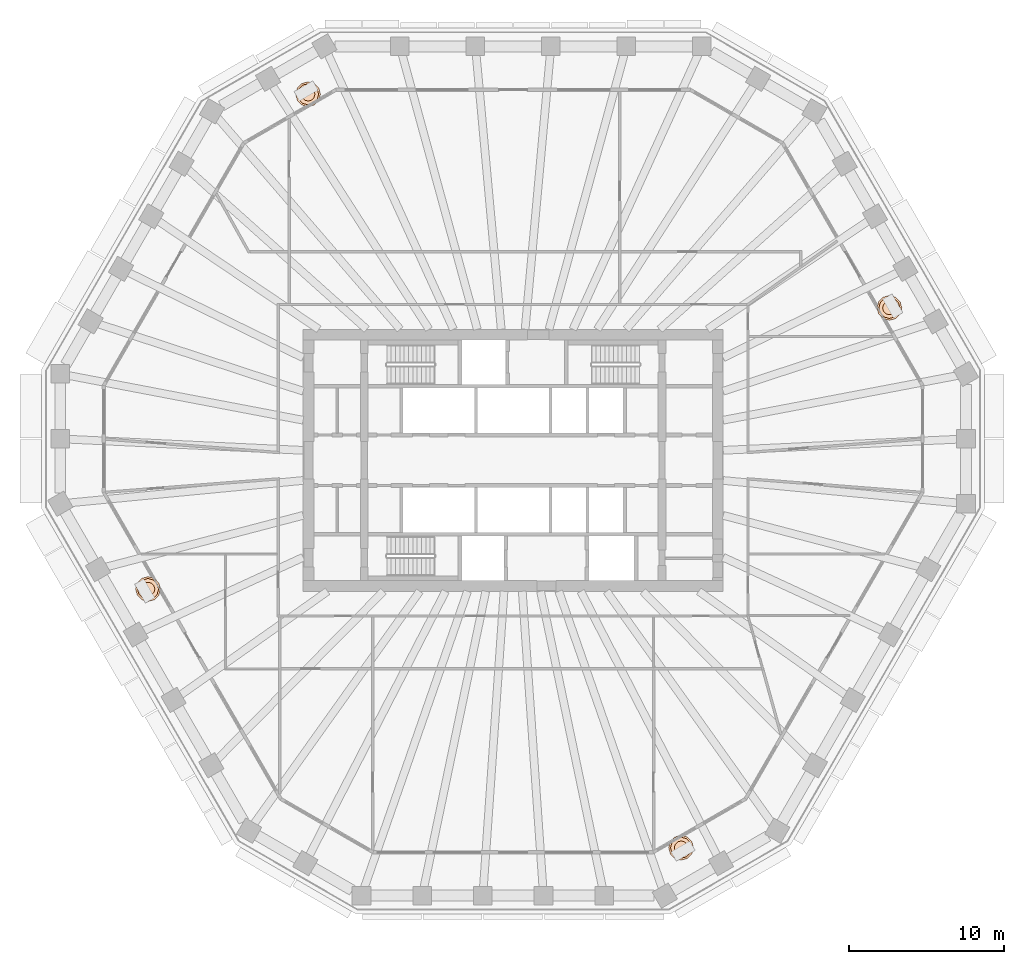
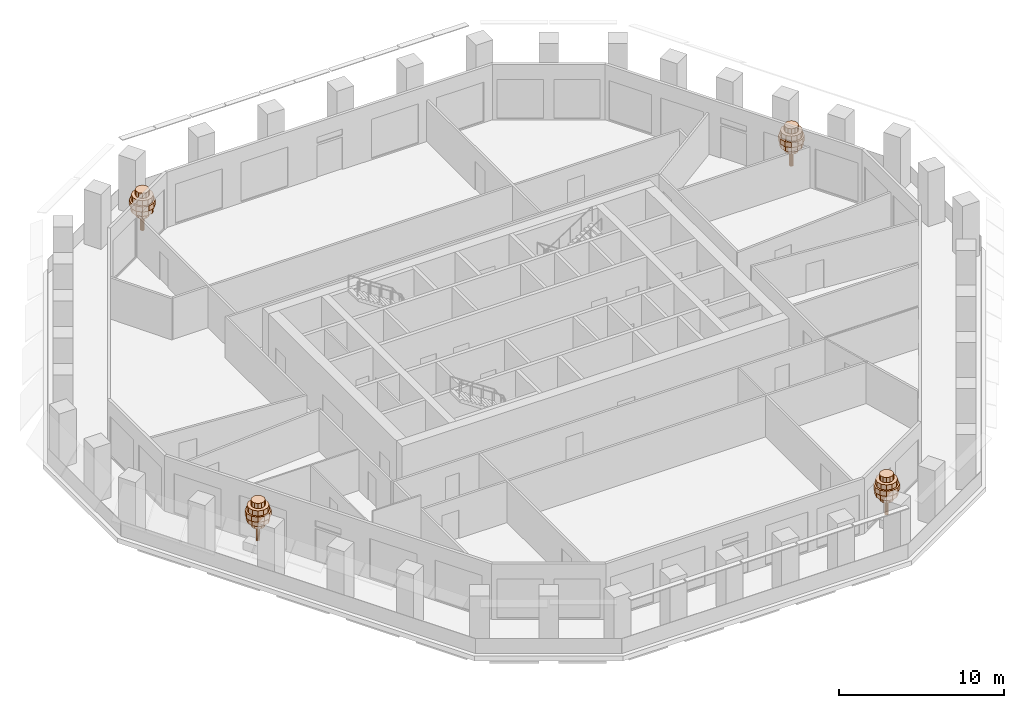
# One storey, part 12 of 12: 4 geographic elements.
"""IFC4 building model written with IfcOpenShell, lengths in metres."""

from ifc_helpers import new_model, si_unit, direction, frame, origin, place, context, subcontext, project, spatial, polyline, outline, extrude, material, type_object, element, save


model = new_model("IFC4")

# Units and contexts
model_context = context("Model", 3, precision=1e-05, world=origin(), true_north=direction((0.0, 1.0)))
body_context = subcontext(model_context, "Body", "Model", "MODEL_VIEW")
ifc_project = project(units=[si_unit("LENGTHUNIT", "METRE"), si_unit("AREAUNIT", "SQUARE_METRE"), si_unit("VOLUMEUNIT", "CUBIC_METRE"), si_unit("PLANEANGLEUNIT", "RADIAN"), si_unit("MASSUNIT", "GRAM", prefix="KILO")], contexts=[model_context])

# Site, building, storey
site_placement = place(None, origin())
site = spatial("IfcSite", under=ifc_project, at=site_placement, CompositionType="ELEMENT")
building_placement = place(site_placement, origin())
building = spatial("IfcBuilding", under=site, at=building_placement, Name="Frailejon Research Tower", CompositionType="ELEMENT")
storey_placement = place(building_placement, frame((0.0, 0.0, 189.199951171875)))
storey = spatial("IfcBuildingStorey", under=building, at=storey_placement, Name="L41", CompositionType="ELEMENT", Elevation=189.199951171875)

# Geographic elements
ifc_material = material(Name="Foliage, green")
geographic_element_type = type_object("IfcGeographicElementType", Name="Frailejon tree, loggia", PredefinedType="USERDEFINED", material=ifc_material)
geographic_element_1_placement = place(storey_placement, frame((24.27001953125, 9.82861328125, 0.60009765625)))
element("IfcGeographicElement", 1, at=geographic_element_1_placement, inside=storey, type_object=geographic_element_type, Name="Tree L41", ObjectType="TREE", PredefinedType="USERDEFINED", context=body_context, shape_type="SweptSolid", body=[
    extrude(outline(polyline([(0.1298828125, 0.0), (0.112548828125, 0.06494140625), (0.06494140625, 0.112548828125), (0.0, 0.1298828125), (-0.06494140625, 0.112548828125), (-0.112548828125, 0.06494140625), (-0.1298828125, 0.0), (-0.112548828125, -0.06494140625), (-0.06494140625, -0.112548828125), (0.0, -0.1298828125), (0.06494140625, -0.112548828125), (0.112548828125, -0.06494140625), (0.1298828125, 0.0)])), origin(), (0.0, 0.0, 1.0), 2.239990234375),
    extrude(outline(polyline([(0.43994140625, 0.0), (0.381103515625, 0.219970703125), (0.219970703125, 0.381103515625), (0.0, 0.43994140625), (-0.219970703125, 0.381103515625), (-0.381103515625, 0.219970703125), (-0.43994140625, 0.0), (-0.381103515625, -0.219970703125), (-0.219970703125, -0.381103515625), (0.0, -0.43994140625), (0.219970703125, -0.381103515625), (0.381103515625, -0.219970703125), (0.43994140625, 0.0)])), frame((0.0, 0.0, 1.10009765625)), (0.0, 0.0, 1.0), 0.3798828125),
    extrude(outline(polyline([(0.719970703125, 0.0), (0.62353515625, 0.360107421875), (0.360107421875, 0.62353515625), (0.0, 0.719970703125), (-0.360107421875, 0.62353515625), (-0.62353515625, 0.360107421875), (-0.719970703125, 0.0), (-0.62353515625, -0.360107421875), (-0.360107421875, -0.62353515625), (0.0, -0.719970703125), (0.360107421875, -0.62353515625), (0.62353515625, -0.360107421875), (0.719970703125, 0.0)])), frame((0.0, 0.0, 1.47998046875)), (0.0, 0.0, 1.0), 0.3798828125),
    extrude(outline(polyline([(0.800048828125, 0.0), (0.69287109375, 0.39990234375), (0.39990234375, 0.69287109375), (0.0, 0.800048828125), (-0.39990234375, 0.69287109375), (-0.69287109375, 0.39990234375), (-0.800048828125, 0.0), (-0.69287109375, -0.39990234375), (-0.39990234375, -0.69287109375), (0.0, -0.800048828125), (0.39990234375, -0.69287109375), (0.69287109375, -0.39990234375), (0.800048828125, 0.0)])), frame((0.0, 0.0, 1.860107421875)), (0.0, 0.0, 1.0), 0.3798828125),
    extrude(outline(polyline([(0.679931640625, 0.0), (0.5888671875, 0.340087890625), (0.340087890625, 0.5888671875), (0.0, 0.679931640625), (-0.340087890625, 0.5888671875), (-0.5888671875, 0.340087890625), (-0.679931640625, 0.0), (-0.5888671875, -0.340087890625), (-0.340087890625, -0.5888671875), (0.0, -0.679931640625), (0.340087890625, -0.5888671875), (0.5888671875, -0.340087890625), (0.679931640625, 0.0)])), frame((0.0, 0.0, 2.239990234375)), (0.0, 0.0, 1.0), 0.3798828125),
    extrude(outline(polyline([(0.43994140625, 0.0), (0.381103515625, 0.219970703125), (0.219970703125, 0.381103515625), (0.0, 0.43994140625), (-0.219970703125, 0.381103515625), (-0.381103515625, 0.219970703125), (-0.43994140625, 0.0), (-0.381103515625, -0.219970703125), (-0.219970703125, -0.381103515625), (0.0, -0.43994140625), (0.219970703125, -0.381103515625), (0.381103515625, -0.219970703125), (0.43994140625, 0.0)])), frame((0.0, 0.0, 2.6201171875)), (0.0, 0.0, 1.0), 0.3798828125),
])
geographic_element_2_placement = place(storey_placement, frame((-13.22802734375, 23.6103515625, 0.60009765625)))
element("IfcGeographicElement", 2, at=geographic_element_2_placement, inside=storey, type_object=geographic_element_type, Name="Tree L41", ObjectType="TREE", PredefinedType="USERDEFINED", context=body_context, shape_type="SweptSolid", body=[
    extrude(outline(polyline([(0.1298828125, 0.0), (0.112548828125, 0.06494140625), (0.06494140625, 0.112548828125), (0.0, 0.1298828125), (-0.06494140625, 0.112548828125), (-0.112548828125, 0.06494140625), (-0.1298828125, 0.0), (-0.112548828125, -0.06494140625), (-0.06494140625, -0.112548828125), (0.0, -0.1298828125), (0.06494140625, -0.112548828125), (0.112548828125, -0.06494140625), (0.1298828125, 0.0)])), origin(), (0.0, 0.0, 1.0), 2.239990234375),
    extrude(outline(polyline([(0.43994140625, 0.0), (0.381103515625, 0.219970703125), (0.219970703125, 0.381103515625), (0.0, 0.43994140625), (-0.219970703125, 0.381103515625), (-0.381103515625, 0.219970703125), (-0.43994140625, 0.0), (-0.381103515625, -0.219970703125), (-0.219970703125, -0.381103515625), (0.0, -0.43994140625), (0.219970703125, -0.381103515625), (0.381103515625, -0.219970703125), (0.43994140625, 0.0)])), frame((0.0, 0.0, 1.10009765625)), (0.0, 0.0, 1.0), 0.3798828125),
    extrude(outline(polyline([(0.719970703125, 0.0), (0.62353515625, 0.360107421875), (0.360107421875, 0.62353515625), (0.0, 0.719970703125), (-0.360107421875, 0.62353515625), (-0.62353515625, 0.360107421875), (-0.719970703125, 0.0), (-0.62353515625, -0.360107421875), (-0.360107421875, -0.62353515625), (0.0, -0.719970703125), (0.360107421875, -0.62353515625), (0.62353515625, -0.360107421875), (0.719970703125, 0.0)])), frame((0.0, 0.0, 1.47998046875)), (0.0, 0.0, 1.0), 0.3798828125),
    extrude(outline(polyline([(0.800048828125, 0.0), (0.69287109375, 0.39990234375), (0.39990234375, 0.69287109375), (0.0, 0.800048828125), (-0.39990234375, 0.69287109375), (-0.69287109375, 0.39990234375), (-0.800048828125, 0.0), (-0.69287109375, -0.39990234375), (-0.39990234375, -0.69287109375), (0.0, -0.800048828125), (0.39990234375, -0.69287109375), (0.69287109375, -0.39990234375), (0.800048828125, 0.0)])), frame((0.0, 0.0, 1.860107421875)), (0.0, 0.0, 1.0), 0.3798828125),
    extrude(outline(polyline([(0.679931640625, 0.0), (0.5888671875, 0.340087890625), (0.340087890625, 0.5888671875), (0.0, 0.679931640625), (-0.340087890625, 0.5888671875), (-0.5888671875, 0.340087890625), (-0.679931640625, 0.0), (-0.5888671875, -0.340087890625), (-0.340087890625, -0.5888671875), (0.0, -0.679931640625), (0.340087890625, -0.5888671875), (0.5888671875, -0.340087890625), (0.679931640625, 0.0)])), frame((0.0, 0.0, 2.239990234375)), (0.0, 0.0, 1.0), 0.3798828125),
    extrude(outline(polyline([(0.43994140625, 0.0), (0.381103515625, 0.219970703125), (0.219970703125, 0.381103515625), (0.0, 0.43994140625), (-0.219970703125, 0.381103515625), (-0.381103515625, 0.219970703125), (-0.43994140625, 0.0), (-0.381103515625, -0.219970703125), (-0.219970703125, -0.381103515625), (0.0, -0.43994140625), (0.219970703125, -0.381103515625), (0.381103515625, -0.219970703125), (0.43994140625, 0.0)])), frame((0.0, 0.0, 2.6201171875)), (0.0, 0.0, 1.0), 0.3798828125),
])
geographic_element_3_placement = place(storey_placement, frame((-23.551513671875, -8.3076171875, 0.60009765625)))
element("IfcGeographicElement", 3, at=geographic_element_3_placement, inside=storey, type_object=geographic_element_type, Name="Tree L41", ObjectType="TREE", PredefinedType="USERDEFINED", context=body_context, shape_type="SweptSolid", body=[
    extrude(outline(polyline([(0.1298828125, 0.0), (0.112548828125, 0.06494140625), (0.06494140625, 0.112548828125), (0.0, 0.1298828125), (-0.06494140625, 0.112548828125), (-0.112548828125, 0.06494140625), (-0.1298828125, 0.0), (-0.112548828125, -0.06494140625), (-0.06494140625, -0.112548828125), (0.0, -0.1298828125), (0.06494140625, -0.112548828125), (0.112548828125, -0.06494140625), (0.1298828125, 0.0)])), origin(), (0.0, 0.0, 1.0), 2.239990234375),
    extrude(outline(polyline([(0.43994140625, 0.0), (0.381103515625, 0.219970703125), (0.219970703125, 0.381103515625), (0.0, 0.43994140625), (-0.219970703125, 0.381103515625), (-0.381103515625, 0.219970703125), (-0.43994140625, 0.0), (-0.381103515625, -0.219970703125), (-0.219970703125, -0.381103515625), (0.0, -0.43994140625), (0.219970703125, -0.381103515625), (0.381103515625, -0.219970703125), (0.43994140625, 0.0)])), frame((0.0, 0.0, 1.10009765625)), (0.0, 0.0, 1.0), 0.3798828125),
    extrude(outline(polyline([(0.719970703125, 0.0), (0.62353515625, 0.360107421875), (0.360107421875, 0.62353515625), (0.0, 0.719970703125), (-0.360107421875, 0.62353515625), (-0.62353515625, 0.360107421875), (-0.719970703125, 0.0), (-0.62353515625, -0.360107421875), (-0.360107421875, -0.62353515625), (0.0, -0.719970703125), (0.360107421875, -0.62353515625), (0.62353515625, -0.360107421875), (0.719970703125, 0.0)])), frame((0.0, 0.0, 1.47998046875)), (0.0, 0.0, 1.0), 0.3798828125),
    extrude(outline(polyline([(0.800048828125, 0.0), (0.69287109375, 0.39990234375), (0.39990234375, 0.69287109375), (0.0, 0.800048828125), (-0.39990234375, 0.69287109375), (-0.69287109375, 0.39990234375), (-0.800048828125, 0.0), (-0.69287109375, -0.39990234375), (-0.39990234375, -0.69287109375), (0.0, -0.800048828125), (0.39990234375, -0.69287109375), (0.69287109375, -0.39990234375), (0.800048828125, 0.0)])), frame((0.0, 0.0, 1.860107421875)), (0.0, 0.0, 1.0), 0.3798828125),
    extrude(outline(polyline([(0.679931640625, 0.0), (0.5888671875, 0.340087890625), (0.340087890625, 0.5888671875), (0.0, 0.679931640625), (-0.340087890625, 0.5888671875), (-0.5888671875, 0.340087890625), (-0.679931640625, 0.0), (-0.5888671875, -0.340087890625), (-0.340087890625, -0.5888671875), (0.0, -0.679931640625), (0.340087890625, -0.5888671875), (0.5888671875, -0.340087890625), (0.679931640625, 0.0)])), frame((0.0, 0.0, 2.239990234375)), (0.0, 0.0, 1.0), 0.3798828125),
    extrude(outline(polyline([(0.43994140625, 0.0), (0.381103515625, 0.219970703125), (0.219970703125, 0.381103515625), (0.0, 0.43994140625), (-0.219970703125, 0.381103515625), (-0.381103515625, 0.219970703125), (-0.43994140625, 0.0), (-0.381103515625, -0.219970703125), (-0.219970703125, -0.381103515625), (0.0, -0.43994140625), (0.219970703125, -0.381103515625), (0.381103515625, -0.219970703125), (0.43994140625, 0.0)])), frame((0.0, 0.0, 2.6201171875)), (0.0, 0.0, 1.0), 0.3798828125),
])
geographic_element_4_placement = place(storey_placement, frame((10.8330078125, -24.992919921875, 0.60009765625)))
element("IfcGeographicElement", 4, at=geographic_element_4_placement, inside=storey, type_object=geographic_element_type, Name="Tree L41", ObjectType="TREE", PredefinedType="USERDEFINED", context=body_context, shape_type="SweptSolid", body=[
    extrude(outline(polyline([(0.1298828125, 0.0), (0.112548828125, 0.06494140625), (0.06494140625, 0.112548828125), (0.0, 0.1298828125), (-0.06494140625, 0.112548828125), (-0.112548828125, 0.06494140625), (-0.1298828125, 0.0), (-0.112548828125, -0.06494140625), (-0.06494140625, -0.112548828125), (0.0, -0.1298828125), (0.06494140625, -0.112548828125), (0.112548828125, -0.06494140625), (0.1298828125, 0.0)])), origin(), (0.0, 0.0, 1.0), 2.239990234375),
    extrude(outline(polyline([(0.43994140625, 0.0), (0.381103515625, 0.219970703125), (0.219970703125, 0.381103515625), (0.0, 0.43994140625), (-0.219970703125, 0.381103515625), (-0.381103515625, 0.219970703125), (-0.43994140625, 0.0), (-0.381103515625, -0.219970703125), (-0.219970703125, -0.381103515625), (0.0, -0.43994140625), (0.219970703125, -0.381103515625), (0.381103515625, -0.219970703125), (0.43994140625, 0.0)])), frame((0.0, 0.0, 1.10009765625)), (0.0, 0.0, 1.0), 0.3798828125),
    extrude(outline(polyline([(0.719970703125, 0.0), (0.62353515625, 0.360107421875), (0.360107421875, 0.62353515625), (0.0, 0.719970703125), (-0.360107421875, 0.62353515625), (-0.62353515625, 0.360107421875), (-0.719970703125, 0.0), (-0.62353515625, -0.360107421875), (-0.360107421875, -0.62353515625), (0.0, -0.719970703125), (0.360107421875, -0.62353515625), (0.62353515625, -0.360107421875), (0.719970703125, 0.0)])), frame((0.0, 0.0, 1.47998046875)), (0.0, 0.0, 1.0), 0.3798828125),
    extrude(outline(polyline([(0.800048828125, 0.0), (0.69287109375, 0.39990234375), (0.39990234375, 0.69287109375), (0.0, 0.800048828125), (-0.39990234375, 0.69287109375), (-0.69287109375, 0.39990234375), (-0.800048828125, 0.0), (-0.69287109375, -0.39990234375), (-0.39990234375, -0.69287109375), (0.0, -0.800048828125), (0.39990234375, -0.69287109375), (0.69287109375, -0.39990234375), (0.800048828125, 0.0)])), frame((0.0, 0.0, 1.860107421875)), (0.0, 0.0, 1.0), 0.3798828125),
    extrude(outline(polyline([(0.679931640625, 0.0), (0.5888671875, 0.340087890625), (0.340087890625, 0.5888671875), (0.0, 0.679931640625), (-0.340087890625, 0.5888671875), (-0.5888671875, 0.340087890625), (-0.679931640625, 0.0), (-0.5888671875, -0.340087890625), (-0.340087890625, -0.5888671875), (0.0, -0.679931640625), (0.340087890625, -0.5888671875), (0.5888671875, -0.340087890625), (0.679931640625, 0.0)])), frame((0.0, 0.0, 2.239990234375)), (0.0, 0.0, 1.0), 0.3798828125),
    extrude(outline(polyline([(0.43994140625, 0.0), (0.381103515625, 0.219970703125), (0.219970703125, 0.381103515625), (0.0, 0.43994140625), (-0.219970703125, 0.381103515625), (-0.381103515625, 0.219970703125), (-0.43994140625, 0.0), (-0.381103515625, -0.219970703125), (-0.219970703125, -0.381103515625), (0.0, -0.43994140625), (0.219970703125, -0.381103515625), (0.381103515625, -0.219970703125), (0.43994140625, 0.0)])), frame((0.0, 0.0, 2.6201171875)), (0.0, 0.0, 1.0), 0.3798828125),
])

save(model, "model.ifc")
